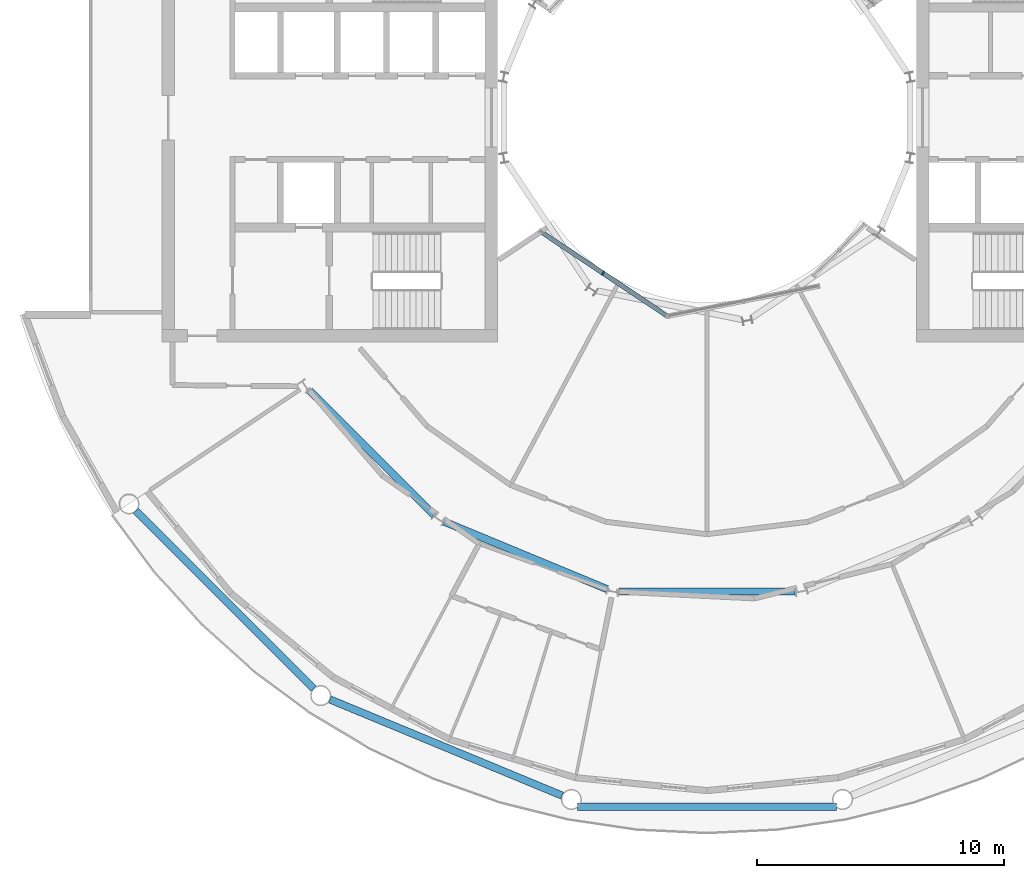
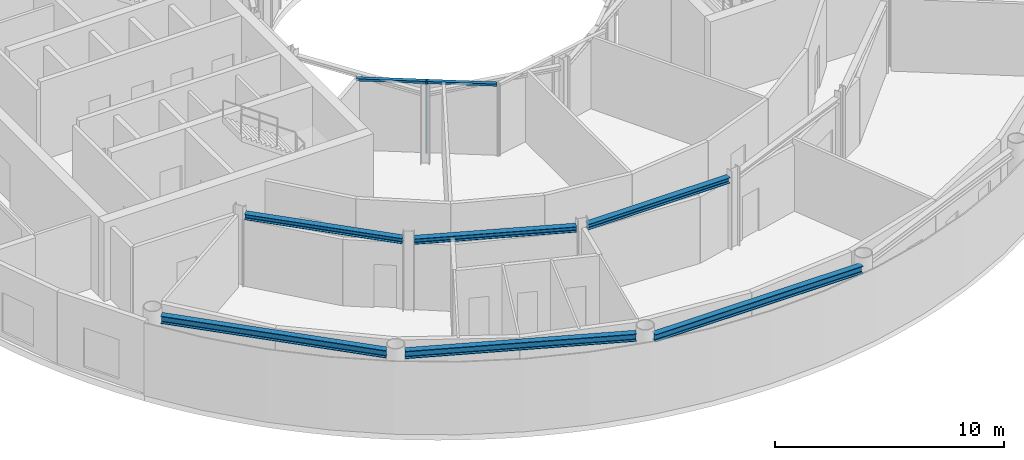
# One storey, part 5 of 21: 6 beams, 3 members, 1 element without a shape of its own.
"""IFC4 building model written with IfcOpenShell, lengths in metres."""

from ifc_helpers import new_model, si_unit, direction, frame, origin, origin_2d, place, context, subcontext, project, spatial, rectangle, i_section, extrude, material, layer, layer_set, material_profile, profile_set, type_object, element, aggregate, save


model = new_model("IFC4")

# Units and contexts
model_context = context("Model", 3, precision=1e-05, world=origin(), true_north=direction((0.0, 1.0)))
body_context = subcontext(model_context, "Body", "Model", "MODEL_VIEW")
ifc_project = project(units=[si_unit("LENGTHUNIT", "METRE"), si_unit("AREAUNIT", "SQUARE_METRE"), si_unit("VOLUMEUNIT", "CUBIC_METRE"), si_unit("PLANEANGLEUNIT", "RADIAN"), si_unit("MASSUNIT", "GRAM", prefix="KILO")], contexts=[model_context])

# Site, building, storey
site_placement = place(None, origin())
site = spatial("IfcSite", under=ifc_project, at=site_placement, CompositionType="ELEMENT")
building_placement = place(site_placement, origin())
building = spatial("IfcBuilding", under=site, at=building_placement, Name="Maasbend Ring Residences", CompositionType="ELEMENT")
storey_placement = place(building_placement, frame((0.0, 0.0, 157.39990234375)))
storey = spatial("IfcBuildingStorey", under=building, at=storey_placement, Name="L45", CompositionType="ELEMENT", Elevation=157.39990234375)

# Curtain wall, members
ifc_material_1 = material(Name="Aluminium and clear glass", Category="aluminium")
ifc_layer = layer(ifc_material_1, 0.179931640625)
ifc_layer_set = layer_set([ifc_layer], Name="CW-W")
curtain_wall_type = type_object("IfcCurtainWallType", Name="CW-W", PredefinedType="NOTDEFINED", material=ifc_layer_set)
curtain_wall_placement = place(storey_placement, origin())
curtain_wall = element("IfcCurtainWall", 1, at=curtain_wall_placement, inside=storey, type_object=curtain_wall_type, Name="Well curtain wall S1", PredefinedType="NOTDEFINED")
ifc_material_2 = material(Name="Aluminium 6063-T6", Category="aluminium")
ifc_material_profile_1 = material_profile(ifc_material_2, rectangle(XDim=0.179931640625, YDim=0.06005859375, at=origin_2d()), Name="AL 180x60")
ifc_profile_set_1 = profile_set([ifc_material_profile_1], Name="Aluminium 6063-T6")
member_type_1 = type_object("IfcMemberType", Name="CWM-W", PredefinedType="MULLION", material=ifc_profile_set_1)
member_1_placement = place(storey_placement, frame((-4.216796875, -6.310791015625, 0.0), z_axis=(0.0, 0.0, 1.0), x_axis=(0.55557023302, 0.831469612303, 0.0)))
member_1 = element("IfcMember", 2, at=member_1_placement, type_object=member_type_1, Name="Mullion well face", PredefinedType="MULLION", context=body_context, shape_type="SweptSolid", body=[
    extrude(rectangle(XDim=0.179931640625, YDim=0.06005859375, at=origin_2d()), origin(), (0.0, 0.0, 1.0), 3.85009765625),
])
ifc_material_3 = material(Name="Aluminium 6063-T6", Category="aluminium")
ifc_material_profile_2 = material_profile(ifc_material_3, rectangle(XDim=0.179931640625, YDim=0.1201171875, at=origin_2d()), Name="AL 180x120")
ifc_profile_set_2 = profile_set([ifc_material_profile_2], Name="Aluminium 6063-T6")
member_type_2 = type_object("IfcMemberType", Name="CWT-W", PredefinedType="USERDEFINED", material=ifc_profile_set_2)
member_2_placement = place(storey_placement, frame((-6.781005859375, -4.59765625, 3.7900390625), z_axis=(0.831496422459, -0.555530106689, 0.0), x_axis=(0.555530106689, 0.831496422459, 0.0)))
member_2 = element("IfcMember", 3, at=member_2_placement, type_object=member_type_2, Name="Transom well face", ObjectType="TRANSOM", PredefinedType="USERDEFINED", context=body_context, shape_type="SweptSolid", body=[
    extrude(rectangle(XDim=0.179931640625, YDim=0.1201171875, at=origin_2d()), origin(), (0.0, 0.0, 1.0), 3.053955078125),
])
member_3_placement = place(storey_placement, frame((-4.19189453125, -6.32763671875, 3.7900390625), z_axis=(0.831496422459, -0.555530106689, 0.0), x_axis=(0.555530106689, 0.831496422459, 0.0)))
member_3 = element("IfcMember", 4, at=member_3_placement, type_object=member_type_2, Name="Transom well face", ObjectType="TRANSOM", PredefinedType="USERDEFINED", context=body_context, shape_type="SweptSolid", body=[
    extrude(rectangle(XDim=0.179931640625, YDim=0.1201171875, at=origin_2d()), origin(), (0.0, 0.0, 1.0), 3.053955078125),
])
aggregate(curtain_wall, [member_1, member_2, member_3])

# Beams
ifc_material_4 = material(Name="Steel S355J2", Category="steel")
ifc_material_profile_3 = material_profile(ifc_material_4, i_section(OverallWidth=0.300048828125, OverallDepth=0.2900390625, WebThickness=0.008544921875, FlangeThickness=0.013916015625, FilletRadius=0.027099609375, at=origin_2d()), Name="HEA 300")
ifc_profile_set_3 = profile_set([ifc_material_profile_3], Name="Steel S355J2")
beam_type_1 = type_object("IfcBeamType", Name="Corridor ring beam HEA 300", PredefinedType="BEAM", material=ifc_profile_set_3)
for number, where, z_axis, x_axis, name in (
    (5, (-16.11669921875, -11.0693359375, 3.705078125), (0.707106781187, -0.707106781187, 0.0), (0.707106781187, 0.707106781187, 0.0), "Corridor ring beam"),
    (6, (-10.65380859375, -16.394287109375, 3.705078125), (0.923871339849, -0.382703210602, 0.0), (0.382703210602, 0.923871339849, 0.0), "Corridor ring beam"),
):
    element("IfcBeam", number, at=place(storey_placement, frame(where, z_axis=z_axis, x_axis=x_axis)), inside=storey, type_object=beam_type_1, Name=name, PredefinedType="BEAM", context=body_context, shape_type="SweptSolid", body=[
        extrude(i_section(OverallWidth=0.300048828125, OverallDepth=0.2900390625, WebThickness=0.008544921875, FlangeThickness=0.013916015625, FilletRadius=0.027099609375, at=origin_2d()), origin(), (0.0, 0.0, 1.0), 7.137939453125),
    ])
beam_1_placement = place(storey_placement, frame((-3.56884765625, -19.223388671875, 3.705078125), z_axis=(1.0, 0.0, 0.0), x_axis=(0.0, 1.0, 0.0)))
element("IfcBeam", 7, at=beam_1_placement, inside=storey, type_object=beam_type_1, Name="Corridor ring beam", PredefinedType="BEAM", context=body_context, shape_type="SweptSolid", body=[
    extrude(i_section(OverallWidth=0.300048828125, OverallDepth=0.2900390625, WebThickness=0.008544921875, FlangeThickness=0.013916015625, FilletRadius=0.027099609375, at=origin_2d()), origin(), (0.0, 0.0, 1.0), 7.1376953125),
])
ifc_material_5 = material(Name="Steel S355J2", Category="steel")
ifc_material_profile_4 = material_profile(ifc_material_5, i_section(OverallWidth=0.300048828125, OverallDepth=0.39990234375, WebThickness=0.013427734375, FlangeThickness=0.02392578125, FilletRadius=0.027099609375, at=origin_2d()), Name="HEB 400")
ifc_profile_set_4 = profile_set([ifc_material_profile_4], Name="Steel S355J2")
beam_type_2 = type_object("IfcBeamType", Name="Spandrel ring beam HEB 400", PredefinedType="SPANDREL", material=ifc_profile_set_4)
for number, where, z_axis, x_axis, name in (
    (8, (-23.159912109375, -15.95458984375, 3.650146484375), (0.707106781187, -0.707106781187, 0.0), (0.707106781187, 0.707106781187, 0.0), "Spandrel ring beam"),
    (9, (-15.29150390625, -23.60302734375, 3.650146484375), (0.923883676188, -0.382673428492, 0.0), (0.382673428492, 0.923883676188, 0.0), "Spandrel ring beam"),
):
    element("IfcBeam", number, at=place(storey_placement, frame(where, z_axis=z_axis, x_axis=x_axis)), inside=storey, type_object=beam_type_2, Name=name, PredefinedType="SPANDREL", context=body_context, shape_type="SweptSolid", body=[
        extrude(i_section(OverallWidth=0.300048828125, OverallDepth=0.39990234375, WebThickness=0.013427734375, FlangeThickness=0.02392578125, FilletRadius=0.027099609375, at=origin_2d()), origin(), (0.0, 0.0, 1.0), 10.18994140625),
    ])
beam_2_placement = place(storey_placement, frame((-5.2451171875, -27.9580078125, 3.650146484375), z_axis=(1.0, 0.0, 0.0), x_axis=(0.0, 1.0, 0.0)))
element("IfcBeam", 10, at=beam_2_placement, inside=storey, type_object=beam_type_2, Name="Spandrel ring beam", PredefinedType="SPANDREL", context=body_context, shape_type="SweptSolid", body=[
    extrude(i_section(OverallWidth=0.300048828125, OverallDepth=0.39990234375, WebThickness=0.013427734375, FlangeThickness=0.02392578125, FilletRadius=0.027099609375, at=origin_2d()), origin(), (0.0, 0.0, 1.0), 10.490234375),
])

save(model, "model.ifc")
